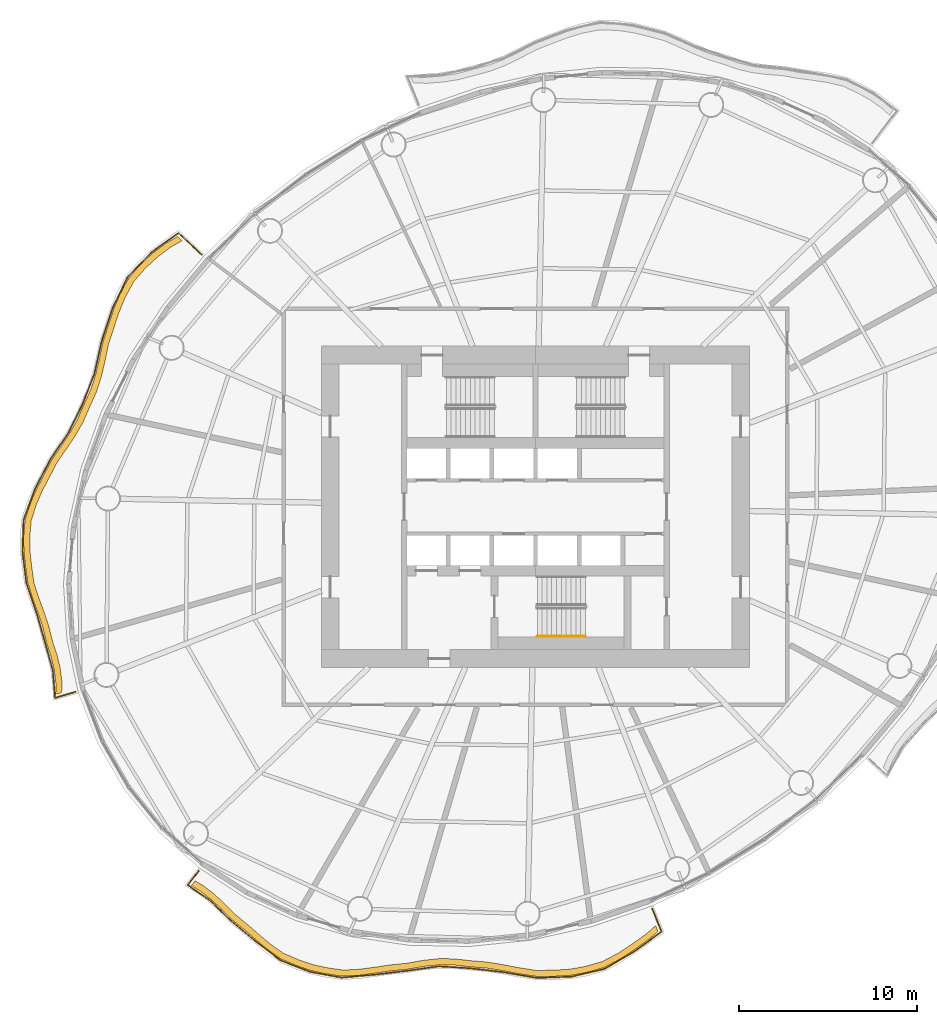
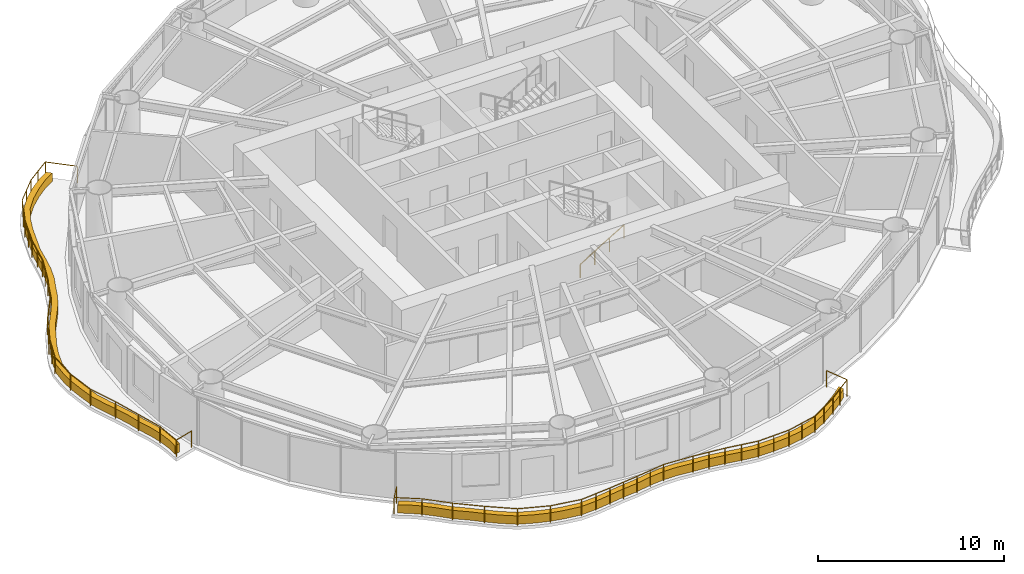
# One storey, part 12 of 14: 3 railings, 2 coverings.
"""IFC4 building model written with IfcOpenShell, lengths in metres."""

from ifc_helpers import new_model, si_unit, direction, frame, origin, origin_2d, place, context, subcontext, project, spatial, polyline, circle, outline, extrude, material, type_object, element, save


model = new_model("IFC4")

# Units and contexts
model_context = context("Model", 3, precision=1e-05, world=origin(), true_north=direction((0.0, 1.0)))
body_context = subcontext(model_context, "Body", "Model", "MODEL_VIEW")
ifc_project = project(units=[si_unit("LENGTHUNIT", "METRE"), si_unit("AREAUNIT", "SQUARE_METRE"), si_unit("VOLUMEUNIT", "CUBIC_METRE"), si_unit("PLANEANGLEUNIT", "RADIAN"), si_unit("MASSUNIT", "GRAM", prefix="KILO")], contexts=[model_context])

# Site, building, storey
site_placement = place(None, origin())
site = spatial("IfcSite", under=ifc_project, at=site_placement, CompositionType="ELEMENT")
building_placement = place(site_placement, origin())
building = spatial("IfcBuilding", under=site, at=building_placement, Name="Vermilion Reach Broadcast Tower", CompositionType="ELEMENT")
storey_placement = place(building_placement, frame((0.0, 0.0, 172.199951171875)))
storey = spatial("IfcBuildingStorey", under=building, at=storey_placement, Name="L41", CompositionType="ELEMENT", Elevation=172.199951171875)

# Coverings
ifc_material_1 = material(Name="Planting soil and greenery")
covering_type = type_object("IfcCoveringType", Name="Balcony PLANTER", PredefinedType="USERDEFINED", material=ifc_material_1)
placement = place(storey_placement, origin())
element("IfcCovering", 1, at=placement, inside=storey, type_object=covering_type, Name="PLANTER L41 group 2", ObjectType="PLANTER", PredefinedType="USERDEFINED", context=body_context, shape_type="SweptSolid", body=[
    extrude(outline(polyline([(-26.05712890625, 15.15087890625), (-26.70458984375, 14.77978515625), (-27.439208984375, 14.222412109375), (-28.109619140625, 13.611083984375), (-28.7900390625, 12.828369140625), (-29.283447265625, 11.9287109375), (-29.6259765625, 11.0947265625), (-29.9150390625, 10.22509765625), (-30.23388671875, 9.257568359375), (-30.4423828125, 8.281494140625), (-30.6474609375, 7.4140625), (-30.919189453125, 6.580078125), (-31.303466796875, 5.73095703125), (-31.66455078125, 4.892578125), (-32.0859375, 4.14404296875), (-32.57080078125, 3.41845703125), (-33.129638671875, 2.602294921875), (-33.57275390625, 1.741943359375), (-33.966064453125, 0.983154296875), (-34.30517578125, 0.212646484375), (-34.605224609375, -0.735595703125), (-34.68505859375, -1.701416015625), (-34.668212890625, -2.509521484375), (-34.577392578125, -3.323486328125), (-34.44384765625, -4.283447265625), (-34.15234375, -5.19384765625), (-33.869140625, -5.96240234375), (-33.61279296875, -6.732666015625), (-33.40234375, -7.592041015625), (-33.137451171875, -8.4091796875), (-32.965576171875, -9.157958984375), (-32.869384765625, -9.9228515625), (-32.884765625, -10.50439453125), (-32.549072265625, -10.405029296875), (-32.527099609375, -9.849853515625), (-32.623291015625, -9.084716796875), (-32.795166015625, -8.3359375), (-33.055419921875, -7.544677734375), (-33.263427734375, -6.711181640625), (-33.519775390625, -5.94091796875), (-33.802978515625, -5.17236328125), (-34.09375, -4.286865234375), (-34.228515625, -3.351806640625), (-34.3193359375, -2.537841796875), (-34.336181640625, -1.729736328125), (-34.259033203125, -0.787353515625), (-33.96337890625, 0.1376953125), (-33.624267578125, 0.908203125), (-33.230712890625, 1.666748046875), (-32.793212890625, 2.50537109375), (-32.2412109375, 3.30029296875), (-31.756591796875, 4.02587890625), (-31.335205078125, 4.7744140625), (-30.98193359375, 5.5927734375), (-30.606689453125, 6.422607421875), (-30.3349609375, 7.256591796875), (-30.1298828125, 8.124267578125), (-29.93115234375, 9.08203125), (-29.622802734375, 10.0322265625), (-29.333984375, 10.90185546875), (-28.991455078125, 11.73583984375), (-28.50927734375, 12.619384765625), (-27.841064453125, 13.386474609375), (-27.170654296875, 13.997802734375), (-26.43603515625, 14.55517578125), (-25.801513671875, 14.912109375), (-26.05712890625, 15.15087890625)])), origin(), (0.0, 0.0, 1.0), 0.550048828125),
])
element("IfcCovering", 2, at=placement, inside=storey, type_object=covering_type, Name="PLANTER L41 group 3", ObjectType="PLANTER", PredefinedType="USERDEFINED", context=body_context, shape_type="SweptSolid", body=[
    extrude(outline(polyline([(-25.28271484375, -21.22607421875), (-24.811279296875, -21.511962890625), (-24.2001953125, -21.981201171875), (-23.62744140625, -22.510009765625), (-22.995361328125, -23.14453125), (-22.27734375, -23.719970703125), (-21.6611328125, -24.260986328125), (-21.037841796875, -24.7861328125), (-20.24755859375, -25.33984375), (-19.350341796875, -25.720947265625), (-18.587890625, -25.978759765625), (-17.8017578125, -26.155029296875), (-16.84619140625, -26.298583984375), (-15.848388671875, -26.24609375), (-14.99658203125, -26.130859375), (-14.143310546875, -26.00537109375), (-13.20751953125, -25.914794921875), (-12.270263671875, -25.751953125), (-11.421630859375, -25.666259765625), (-10.574951171875, -25.67236328125), (-9.66015625, -25.77392578125), (-8.7109375, -25.84716796875), (-7.82470703125, -25.989501953125), (-6.935546875, -26.161376953125), (-5.927490234375, -26.3134765625), (-4.89990234375, -26.303466796875), (-4.00634765625, -26.2451171875), (-3.134033203125, -26.09228515625), (-2.152587890625, -25.8095703125), (-1.227294921875, -25.32177734375), (-0.453125, -24.8095703125), (0.30908203125, -24.261962890625), (0.86474609375, -23.789794921875), (0.732666015625, -23.4658203125), (0.195068359375, -23.93115234375), (-0.567138671875, -24.478515625), (-1.341552734375, -24.99072265625), (-2.247802734375, -25.472900390625), (-3.210205078125, -25.75048828125), (-4.08251953125, -25.903564453125), (-4.975830078125, -25.9619140625), (-5.9833984375, -25.968017578125), (-6.971435546875, -25.813232421875), (-7.860595703125, -25.641357421875), (-8.746826171875, -25.498779296875), (-9.674560546875, -25.42431640625), (-10.56787109375, -25.322509765625), (-11.414794921875, -25.316162109375), (-12.263427734375, -25.402099609375), (-13.177978515625, -25.56591796875), (-14.091552734375, -25.6591796875), (-14.94482421875, -25.78466796875), (-15.796630859375, -25.89990234375), (-16.77099609375, -25.956787109375), (-17.703857421875, -25.81884765625), (-18.489990234375, -25.642822265625), (-19.25244140625, -25.385009765625), (-20.1259765625, -25.011474609375), (-20.893310546875, -24.46728515625), (-21.5166015625, -23.9423828125), (-22.1328125, -23.4013671875), (-22.827392578125, -22.83740234375), (-23.43701171875, -22.21630859375), (-24.009765625, -21.6875), (-24.62109375, -21.218017578125), (-25.0703125, -20.947998046875), (-25.28271484375, -21.22607421875)])), origin(), (0.0, 0.0, 1.0), 0.550048828125),
])

# Railings
ifc_material_2 = material(Name="Stainless steel 316 balustrade", Category="steel")
railing_type_1 = type_object("IfcRailingType", Name="Balcony guard 1100", PredefinedType="BALUSTRADE", material=ifc_material_2)
railing_1_placement = place(storey_placement, frame((-24.7060546875, 14.135009765625, 0.0)))
element("IfcRailing", 3, at=railing_1_placement, inside=storey, type_object=railing_type_1, Name="Balcony guard L41 group 2", PredefinedType="BALUSTRADE", context=body_context, shape_type="SweptSolid", body=[
    extrude(circle(Radius=0.02490234375, at=origin_2d()), frame((0.0, 0.0, 1.0751953125), z_axis=(-0.730821411825, 0.682568724758, 0.0), x_axis=(-0.682568724758, -0.730821411825, 0.0)), (0.0, 0.0, 1.0), 1.770751953125),
    extrude(circle(Radius=0.02490234375, at=origin_2d()), frame((-1.294189453125, 1.208740234375, 1.0751953125), z_axis=(-0.814127162, -0.580686631578, 0.0), x_axis=(0.580686631578, -0.814127162, 0.0)), (0.0, 0.0, 1.0), 1.8427734375),
    extrude(circle(Radius=0.02490234375, at=origin_2d()), frame((-2.79443359375, 0.138671875, 1.0751953125), z_axis=(-0.695724418976, -0.718308800476, 0.0), x_axis=(0.718308800476, -0.695724418976, 0.0)), (0.0, 0.0, 1.0), 1.94580078125),
    extrude(circle(Radius=0.02490234375, at=origin_2d()), frame((-4.148193359375, -1.259033203125, 1.0751953125), z_axis=(-0.434717213182, -0.900567012811, 0.0), x_axis=(0.900567012811, -0.434717213182, 0.0)), (0.0, 0.0, 1.0), 1.92919921875),
    extrude(circle(Radius=0.02490234375, at=origin_2d()), frame((-4.98681640625, -2.996337890625, 1.0751953125), z_axis=(-0.31467912362, -0.949198108488, 0.0), x_axis=(0.949198108488, -0.31467912362, 0.0)), (0.0, 0.0, 1.0), 1.939697265625),
    extrude(circle(Radius=0.02490234375, at=origin_2d()), frame((-5.59716796875, -4.83740234375, 1.0751953125), z_axis=(-0.219564348899, -0.975598020033, 0.0), x_axis=(0.975598020033, -0.219564348899, 0.0)), (0.0, 0.0, 1.0), 1.8935546875),
    extrude(circle(Radius=0.02490234375, at=origin_2d()), frame((-6.012939453125, -6.684814453125, 1.0751953125), z_axis=(-0.363220101928, -0.931703363499, 0.0), x_axis=(0.931703363499, -0.363220101928, 0.0)), (0.0, 0.0, 1.0), 1.8115234375),
    extrude(circle(Radius=0.02490234375, at=origin_2d()), frame((-6.6708984375, -8.37255859375, 1.0751953125), z_axis=(-0.442142363103, -0.896944887242, 0.0), x_axis=(0.896944887242, -0.442142363103, 0.0)), (0.0, 0.0, 1.0), 1.774169921875),
    extrude(circle(Radius=0.02490234375, at=origin_2d()), frame((-7.455322265625, -9.9638671875, 1.0751953125), z_axis=(-0.559910801707, -0.828552891571, 0.0), x_axis=(0.828552891571, -0.559910801707, 0.0)), (0.0, 0.0, 1.0), 1.86669921875),
    extrude(circle(Radius=0.02490234375, at=origin_2d()), frame((-8.50048828125, -11.510498046875, 1.0751953125), z_axis=(-0.458401270753, -0.888745337525, 0.0), x_axis=(0.888745337525, -0.458401270753, 0.0)), (0.0, 0.0, 1.0), 1.827392578125),
    extrude(circle(Radius=0.02490234375, at=origin_2d()), frame((-9.338134765625, -13.134521484375, 1.0751953125), z_axis=(-0.348066538877, -0.937469831255, 0.0), x_axis=(0.937469831255, -0.348066538877, 0.0)), (0.0, 0.0, 1.0), 1.839111328125),
    extrude(circle(Radius=0.02490234375, at=origin_2d()), frame((-9.978271484375, -14.858642578125, 1.0751953125), z_axis=(-0.035647516885, -0.999364425292, 0.0), x_axis=(0.999364425292, -0.035647516885, 0.0)), (0.0, 0.0, 1.0), 1.78076171875),
    extrude(circle(Radius=0.02490234375, at=origin_2d()), frame((-10.041748046875, -16.63818359375, 1.0751953125), z_axis=(0.124822097748, -0.992179139024, 0.0), x_axis=(0.992179139024, 0.124822097748, 0.0)), (0.0, 0.0, 1.0), 1.79345703125),
    extrude(circle(Radius=0.02490234375, at=origin_2d()), frame((-9.81787109375, -18.417724609375, 1.0751953125), z_axis=(0.323009029538, -0.946395882724, 0.0), x_axis=(0.946395882724, 0.323009029538, 0.0)), (0.0, 0.0, 1.0), 1.780029296875),
    extrude(circle(Radius=0.02490234375, at=origin_2d()), frame((-9.242919921875, -20.102294921875, 1.0751953125), z_axis=(0.274853819869, -0.961486025745, 0.0), x_axis=(0.961486025745, 0.274853819869, 0.0)), (0.0, 0.0, 1.0), 1.700927734375),
    extrude(circle(Radius=0.02490234375, at=origin_2d()), frame((-8.775390625, -21.73779296875, 1.0751953125), z_axis=(0.268292070203, -0.963337617383, 0.0), x_axis=(0.963337617383, 0.268292070203, 0.0)), (0.0, 0.0, 1.0), 1.631591796875),
    extrude(circle(Radius=0.02490234375, at=origin_2d()), frame((-8.337646484375, -23.3095703125, 1.0751953125), z_axis=(0.078181936109, -0.996939107903, 0.0), x_axis=(0.996939107903, 0.078181936109, 0.0)), (0.0, 0.0, 1.0), 1.533203125),
    extrude(circle(Radius=0.02490234375, at=origin_2d()), frame((-8.2177734375, -24.838134765625, 1.0751953125), z_axis=(0.958897334391, 0.283753241564, 0.0), x_axis=(-0.283753241564, 0.958897334391, 0.0)), (0.0, 0.0, 1.0), 1.190673828125),
    extrude(circle(Radius=0.02490234375, at=origin_2d()), origin(), (0.0, 0.0, 1.0), 1.050048828125),
    extrude(circle(Radius=0.02490234375, at=origin_2d()), frame((-1.294189453125, 1.208740234375, 0.0)), (0.0, 0.0, 1.0), 1.050048828125),
    extrude(circle(Radius=0.02490234375, at=origin_2d()), frame((-2.04443359375, 0.673828125, 0.0)), (0.0, 0.0, 1.0), 1.050048828125),
    extrude(circle(Radius=0.02490234375, at=origin_2d()), frame((-2.79443359375, 0.138671875, 0.0)), (0.0, 0.0, 1.0), 1.050048828125),
    extrude(circle(Radius=0.02490234375, at=origin_2d()), frame((-3.47119140625, -0.56005859375, 0.0)), (0.0, 0.0, 1.0), 1.050048828125),
    extrude(circle(Radius=0.02490234375, at=origin_2d()), frame((-4.148193359375, -1.259033203125, 0.0)), (0.0, 0.0, 1.0), 1.050048828125),
    extrude(circle(Radius=0.02490234375, at=origin_2d()), frame((-4.5673828125, -2.127685546875, 0.0)), (0.0, 0.0, 1.0), 1.050048828125),
    extrude(circle(Radius=0.02490234375, at=origin_2d()), frame((-4.98681640625, -2.996337890625, 0.0)), (0.0, 0.0, 1.0), 1.050048828125),
    extrude(circle(Radius=0.02490234375, at=origin_2d()), frame((-5.2919921875, -3.9169921875, 0.0)), (0.0, 0.0, 1.0), 1.050048828125),
    extrude(circle(Radius=0.02490234375, at=origin_2d()), frame((-5.59716796875, -4.83740234375, 0.0)), (0.0, 0.0, 1.0), 1.050048828125),
    extrude(circle(Radius=0.02490234375, at=origin_2d()), frame((-5.80517578125, -5.76123046875, 0.0)), (0.0, 0.0, 1.0), 1.050048828125),
    extrude(circle(Radius=0.02490234375, at=origin_2d()), frame((-6.012939453125, -6.684814453125, 0.0)), (0.0, 0.0, 1.0), 1.050048828125),
    extrude(circle(Radius=0.02490234375, at=origin_2d()), frame((-6.341796875, -7.52880859375, 0.0)), (0.0, 0.0, 1.0), 1.050048828125),
    extrude(circle(Radius=0.02490234375, at=origin_2d()), frame((-6.6708984375, -8.37255859375, 0.0)), (0.0, 0.0, 1.0), 1.050048828125),
    extrude(circle(Radius=0.02490234375, at=origin_2d()), frame((-7.455322265625, -9.9638671875, 0.0)), (0.0, 0.0, 1.0), 1.050048828125),
    extrude(circle(Radius=0.02490234375, at=origin_2d()), frame((-7.97802734375, -10.7373046875, 0.0)), (0.0, 0.0, 1.0), 1.050048828125),
    extrude(circle(Radius=0.02490234375, at=origin_2d()), frame((-8.50048828125, -11.510498046875, 0.0)), (0.0, 0.0, 1.0), 1.050048828125),
    extrude(circle(Radius=0.02490234375, at=origin_2d()), frame((-8.91943359375, -12.322509765625, 0.0)), (0.0, 0.0, 1.0), 1.050048828125),
    extrude(circle(Radius=0.02490234375, at=origin_2d()), frame((-9.338134765625, -13.134521484375, 0.0)), (0.0, 0.0, 1.0), 1.050048828125),
    extrude(circle(Radius=0.02490234375, at=origin_2d()), frame((-9.658203125, -13.99658203125, 0.0)), (0.0, 0.0, 1.0), 1.050048828125),
    extrude(circle(Radius=0.02490234375, at=origin_2d()), frame((-9.978271484375, -14.858642578125, 0.0)), (0.0, 0.0, 1.0), 1.050048828125),
    extrude(circle(Radius=0.02490234375, at=origin_2d()), frame((-10.041748046875, -16.63818359375, 0.0)), (0.0, 0.0, 1.0), 1.050048828125),
    extrude(circle(Radius=0.02490234375, at=origin_2d()), frame((-9.81787109375, -18.417724609375, 0.0)), (0.0, 0.0, 1.0), 1.050048828125),
    extrude(circle(Radius=0.02490234375, at=origin_2d()), frame((-9.242919921875, -20.102294921875, 0.0)), (0.0, 0.0, 1.0), 1.050048828125),
    extrude(circle(Radius=0.02490234375, at=origin_2d()), frame((-8.775390625, -21.73779296875, 0.0)), (0.0, 0.0, 1.0), 1.050048828125),
    extrude(circle(Radius=0.02490234375, at=origin_2d()), frame((-8.337646484375, -23.3095703125, 0.0)), (0.0, 0.0, 1.0), 1.050048828125),
    extrude(circle(Radius=0.02490234375, at=origin_2d()), frame((-8.2177734375, -24.838134765625, 0.0)), (0.0, 0.0, 1.0), 1.050048828125),
    extrude(circle(Radius=0.02490234375, at=origin_2d()), frame((-7.075927734375, -24.500244140625, 0.0)), (0.0, 0.0, 1.0), 1.050048828125),
])
railing_2_placement = place(storey_placement, frame((-24.87353515625, -20.39453125, 0.0)))
element("IfcRailing", 4, at=railing_2_placement, inside=storey, type_object=railing_type_1, Name="Balcony guard L41 group 3", PredefinedType="BALUSTRADE", context=body_context, shape_type="SweptSolid", body=[
    extrude(circle(Radius=0.02490234375, at=origin_2d()), frame((0.0, 0.0, 1.0751953125), z_axis=(-0.60690801383, -0.794772082265, 0.0), x_axis=(0.794772082265, -0.60690801383, 0.0)), (0.0, 0.0, 1.0), 1.003173828125),
    extrude(circle(Radius=0.02490234375, at=origin_2d()), frame((-0.60888671875, -0.79736328125, 1.0751953125), z_axis=(0.822553858442, -0.568687216282, 0.0), x_axis=(0.568687216282, 0.822553858442, 0.0)), (0.0, 0.0, 1.0), 1.506103515625),
    extrude(circle(Radius=0.02490234375, at=origin_2d()), frame((0.6298828125, -1.65380859375, 1.0751953125), z_axis=(0.719989459981, -0.693984998049, 0.0), x_axis=(0.693984998049, 0.719989459981, 0.0)), (0.0, 0.0, 1.0), 1.680419921875),
    extrude(circle(Radius=0.02490234375, at=origin_2d()), frame((1.83984375, -2.820068359375, 1.0751953125), z_axis=(0.767303338968, -0.641284325404, 0.0), x_axis=(0.641284325404, 0.767303338968, 0.0)), (0.0, 0.0, 1.0), 1.74560546875),
    extrude(circle(Radius=0.02490234375, at=origin_2d()), frame((3.17919921875, -3.939453125, 1.0751953125), z_axis=(0.795510263569, -0.605940113011, 0.0), x_axis=(0.605940113011, 0.795510263569, 0.0)), (0.0, 0.0, 1.0), 1.78369140625),
    extrude(circle(Radius=0.02490234375, at=origin_2d()), frame((4.59814453125, -5.020263671875, 1.0751953125), z_axis=(0.933257407134, -0.359208312863, 0.0), x_axis=(0.359208312863, 0.933257407134, 0.0)), (0.0, 0.0, 1.0), 1.7841796875),
    extrude(circle(Radius=0.02490234375, at=origin_2d()), frame((6.26318359375, -5.6611328125, 1.0751953125), z_axis=(0.983531712921, -0.180735634781, 0.0), x_axis=(0.180735634781, 0.983531712921, 0.0)), (0.0, 0.0, 1.0), 1.7763671875),
    extrude(circle(Radius=0.02490234375, at=origin_2d()), frame((8.01025390625, -5.982177734375, 1.0751953125), z_axis=(0.995982978521, 0.089542763503, 0.0), x_axis=(-0.089542763503, 0.995982978521, 0.0)), (0.0, 0.0, 1.0), 1.8623046875),
    extrude(circle(Radius=0.02490234375, at=origin_2d()), frame((9.864990234375, -5.8154296875, 1.0751953125), z_axis=(0.992860849694, 0.119278385072, 0.0), x_axis=(-0.119278385072, 0.992860849694, 0.0)), (0.0, 0.0, 1.0), 1.807373046875),
    extrude(circle(Radius=0.02490234375, at=origin_2d()), frame((11.659423828125, -5.599853515625, 1.0751953125), z_axis=(0.990524447299, 0.13733651846, 0.0), x_axis=(-0.13733651846, 0.990524447299, 0.0)), (0.0, 0.0, 1.0), 1.807861328125),
    extrude(circle(Radius=0.02490234375, at=origin_2d()), frame((13.4501953125, -5.3515625, 1.0751953125), z_axis=(0.998147483861, -0.060840779597, 0.0), x_axis=(0.060840779597, 0.998147483861, 0.0)), (0.0, 0.0, 1.0), 1.76953125),
    extrude(circle(Radius=0.02490234375, at=origin_2d()), frame((15.216552734375, -5.459228515625, 1.0751953125), z_axis=(0.993224157384, -0.116214341578, 0.0), x_axis=(0.116214341578, 0.993224157384, 0.0)), (0.0, 0.0, 1.0), 1.852783203125),
    extrude(circle(Radius=0.02490234375, at=origin_2d()), frame((17.056884765625, -5.674560546875, 1.0751953125), z_axis=(0.985844763821, -0.167660674119, 0.0), x_axis=(0.167660674119, 0.985844763821, 0.0)), (0.0, 0.0, 1.0), 1.929443359375),
    extrude(circle(Radius=0.02490234375, at=origin_2d()), frame((18.958984375, -5.998046875, 1.0751953125), z_axis=(0.999352319358, 0.035985299695, 0.0), x_axis=(-0.035985299695, 0.999352319358, 0.0)), (0.0, 0.0, 1.0), 1.9267578125),
    extrude(circle(Radius=0.02490234375, at=origin_2d()), frame((20.884521484375, -5.9287109375, 1.0751953125), z_axis=(0.973497626477, 0.228697116823, 0.0), x_axis=(-0.228697116823, 0.973497626477, 0.0)), (0.0, 0.0, 1.0), 1.90869140625),
    extrude(circle(Radius=0.02490234375, at=origin_2d()), frame((22.74267578125, -5.4921875, 1.0751953125), z_axis=(0.862058028696, 0.506809584717, 0.0), x_axis=(-0.506809584717, 0.862058028696, 0.0)), (0.0, 0.0, 1.0), 1.9765625),
    extrude(circle(Radius=0.02490234375, at=origin_2d()), frame((24.446533203125, -4.490478515625, 1.0751953125), z_axis=(0.810189586013, 0.58616792365, 0.0), x_axis=(-0.58616792365, 0.810189586013, 0.0)), (0.0, 0.0, 1.0), 1.841796875),
    extrude(circle(Radius=0.02490234375, at=origin_2d()), frame((25.938720703125, -3.410888671875, 1.0751953125), z_axis=(-0.377185535259, 0.926137717616, 0.0), x_axis=(-0.926137717616, -0.377185535259, 0.0)), (0.0, 0.0, 1.0), 1.392822265625),
    extrude(circle(Radius=0.02490234375, at=origin_2d()), origin(), (0.0, 0.0, 1.0), 1.050048828125),
    extrude(circle(Radius=0.02490234375, at=origin_2d()), frame((-0.60888671875, -0.79736328125, 0.0)), (0.0, 0.0, 1.0), 1.050048828125),
    extrude(circle(Radius=0.02490234375, at=origin_2d()), frame((0.6298828125, -1.65380859375, 0.0)), (0.0, 0.0, 1.0), 1.050048828125),
    extrude(circle(Radius=0.02490234375, at=origin_2d()), frame((1.83984375, -2.820068359375, 0.0)), (0.0, 0.0, 1.0), 1.050048828125),
    extrude(circle(Radius=0.02490234375, at=origin_2d()), frame((3.17919921875, -3.939453125, 0.0)), (0.0, 0.0, 1.0), 1.050048828125),
    extrude(circle(Radius=0.02490234375, at=origin_2d()), frame((4.59814453125, -5.020263671875, 0.0)), (0.0, 0.0, 1.0), 1.050048828125),
    extrude(circle(Radius=0.02490234375, at=origin_2d()), frame((6.26318359375, -5.6611328125, 0.0)), (0.0, 0.0, 1.0), 1.050048828125),
    extrude(circle(Radius=0.02490234375, at=origin_2d()), frame((8.01025390625, -5.982177734375, 0.0)), (0.0, 0.0, 1.0), 1.050048828125),
    extrude(circle(Radius=0.02490234375, at=origin_2d()), frame((8.9375, -5.89892578125, 0.0)), (0.0, 0.0, 1.0), 1.050048828125),
    extrude(circle(Radius=0.02490234375, at=origin_2d()), frame((9.864990234375, -5.8154296875, 0.0)), (0.0, 0.0, 1.0), 1.050048828125),
    extrude(circle(Radius=0.02490234375, at=origin_2d()), frame((10.76220703125, -5.70751953125, 0.0)), (0.0, 0.0, 1.0), 1.050048828125),
    extrude(circle(Radius=0.02490234375, at=origin_2d()), frame((11.659423828125, -5.599853515625, 0.0)), (0.0, 0.0, 1.0), 1.050048828125),
    extrude(circle(Radius=0.02490234375, at=origin_2d()), frame((12.5546875, -5.4755859375, 0.0)), (0.0, 0.0, 1.0), 1.050048828125),
    extrude(circle(Radius=0.02490234375, at=origin_2d()), frame((13.4501953125, -5.3515625, 0.0)), (0.0, 0.0, 1.0), 1.050048828125),
    extrude(circle(Radius=0.02490234375, at=origin_2d()), frame((15.216552734375, -5.459228515625, 0.0)), (0.0, 0.0, 1.0), 1.050048828125),
    extrude(circle(Radius=0.02490234375, at=origin_2d()), frame((16.13671875, -5.56689453125, 0.0)), (0.0, 0.0, 1.0), 1.050048828125),
    extrude(circle(Radius=0.02490234375, at=origin_2d()), frame((17.056884765625, -5.674560546875, 0.0)), (0.0, 0.0, 1.0), 1.050048828125),
    extrude(circle(Radius=0.02490234375, at=origin_2d()), frame((18.0078125, -5.83642578125, 0.0)), (0.0, 0.0, 1.0), 1.050048828125),
    extrude(circle(Radius=0.02490234375, at=origin_2d()), frame((18.958984375, -5.998046875, 0.0)), (0.0, 0.0, 1.0), 1.050048828125),
    extrude(circle(Radius=0.02490234375, at=origin_2d()), frame((19.921875, -5.96337890625, 0.0)), (0.0, 0.0, 1.0), 1.050048828125),
    extrude(circle(Radius=0.02490234375, at=origin_2d()), frame((20.884521484375, -5.9287109375, 0.0)), (0.0, 0.0, 1.0), 1.050048828125),
    extrude(circle(Radius=0.02490234375, at=origin_2d()), frame((21.8134765625, -5.71044921875, 0.0)), (0.0, 0.0, 1.0), 1.050048828125),
    extrude(circle(Radius=0.02490234375, at=origin_2d()), frame((22.74267578125, -5.4921875, 0.0)), (0.0, 0.0, 1.0), 1.050048828125),
    extrude(circle(Radius=0.02490234375, at=origin_2d()), frame((23.5947265625, -4.9912109375, 0.0)), (0.0, 0.0, 1.0), 1.050048828125),
    extrude(circle(Radius=0.02490234375, at=origin_2d()), frame((24.446533203125, -4.490478515625, 0.0)), (0.0, 0.0, 1.0), 1.050048828125),
    extrude(circle(Radius=0.02490234375, at=origin_2d()), frame((25.192626953125, -3.95068359375, 0.0)), (0.0, 0.0, 1.0), 1.050048828125),
    extrude(circle(Radius=0.02490234375, at=origin_2d()), frame((25.938720703125, -3.410888671875, 0.0)), (0.0, 0.0, 1.0), 1.050048828125),
    extrude(circle(Radius=0.02490234375, at=origin_2d()), frame((25.413330078125, -2.120849609375, 0.0)), (0.0, 0.0, 1.0), 1.050048828125),
])
ifc_material_3 = material(Name="Stainless steel", Category="steel")
railing_type_2 = type_object("IfcRailingType", Name="Stair handrail", PredefinedType="HANDRAIL", material=ifc_material_3)
railing_3_placement = place(storey_placement, frame((-5.89990234375, -7.25, 0.16357421875)))
element("IfcRailing", 5, at=railing_3_placement, inside=storey, type_object=railing_type_2, Name="L41 ST3 stair handrail 1", PredefinedType="HANDRAIL", context=body_context, shape_type="SweptSolid", body=[
    extrude(circle(Radius=0.02392578125, at=origin_2d()), frame((0.0, 0.0, 0.8759765625), z_axis=(0.855178096276, 0.0, 0.518334277904), x_axis=(0.0, 1.0, 0.0)), (0.0, 0.0, 1.0), 3.1572265625),
    extrude(circle(Radius=0.02099609375, at=origin_2d()), origin(), (0.0, 0.0, 1.0), 0.851806640625),
    extrude(circle(Radius=0.02099609375, at=origin_2d()), frame((0.89990234375, 0.0, 0.54541015625)), (0.0, 0.0, 1.0), 0.851806640625),
    extrude(circle(Radius=0.02099609375, at=origin_2d()), frame((1.800048828125, 0.0, 1.091064453125)), (0.0, 0.0, 1.0), 0.851806640625),
    extrude(circle(Radius=0.02099609375, at=origin_2d()), frame((2.699951171875, 0.0, 1.636474609375)), (0.0, 0.0, 1.0), 0.851806640625),
])

save(model, "model.ifc")
